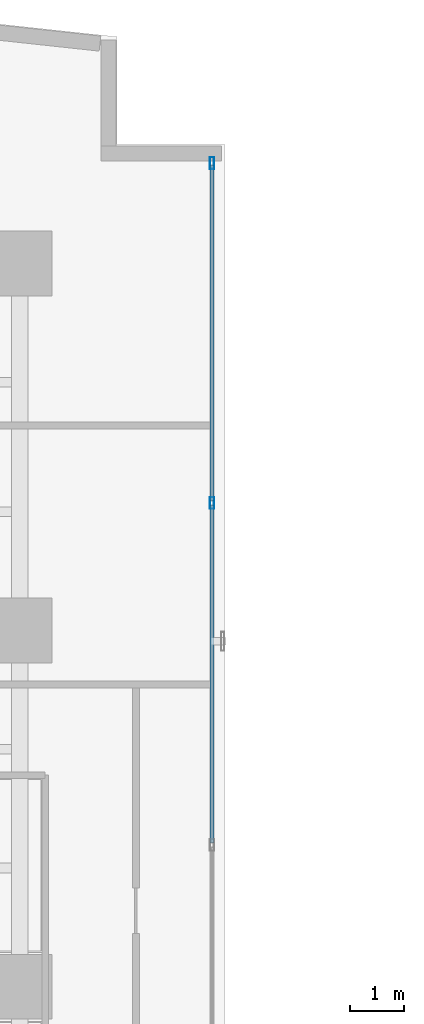
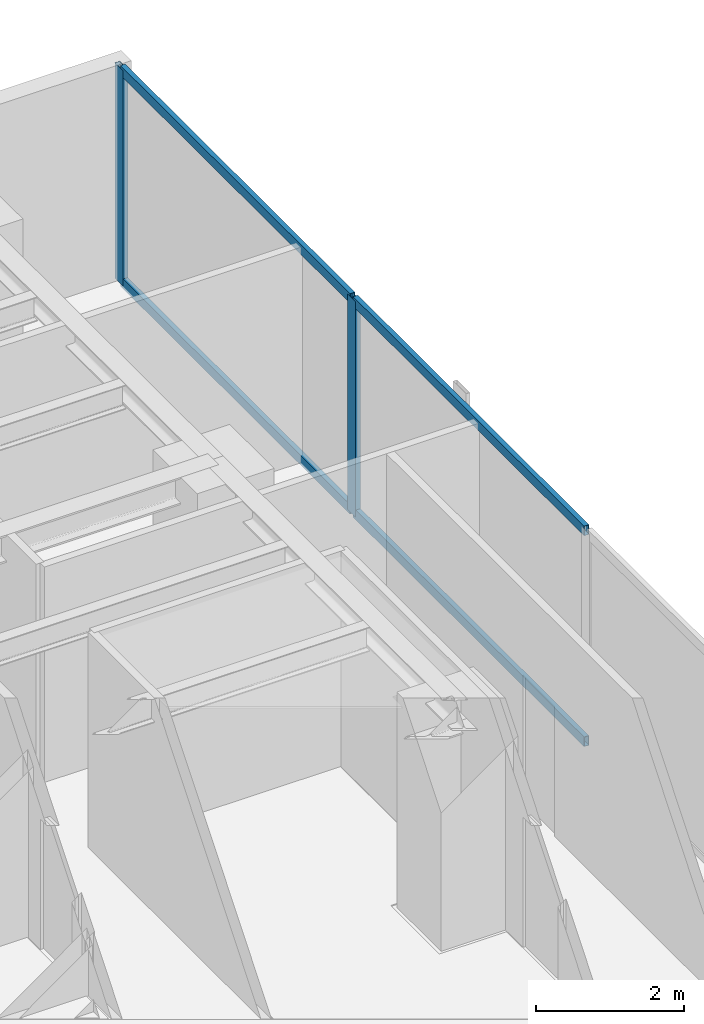
# One storey, part 17 of 24: 6 members, 1 element without a shape of its own.
"""IFC4 building model written with IfcOpenShell, lengths in metres."""

import ifcopenshell
import ifcopenshell.guid

model = None  # the IFC model being written
_history = None  # IfcOwnerHistory: only IFC2X3 demands one
_inside = {}  # id of a spatial element -> (the spatial element, [elements in it])
_under = {}  # id of a project, library or spatial element -> (it, [spatial elements below it])
_declared = {}  # id of a project -> (the project, [libraries it declares])
_typed = {}  # id of a type object -> (the type object, [elements of that type])
_made_of = {}  # id of a material, layer set ... -> (it, [elements and type objects made of it])


def new_model(schema):
    """Start an empty IFC model of exactly this schema.

    Asked for "IFC4X3", IfcOpenShell would pick the latest addendum, in which some entities
    have other attributes; the version numbers below select the first issue.
    IFC2X3 requires an IfcOwnerHistory on every rooted entity: one is made here for all.
    """
    global model, _history
    if schema == "IFC4X3":
        model = ifcopenshell.file(schema_version=(4, 3, 0, 0))
    else:
        model = ifcopenshell.file(schema=schema)
    _inside.clear()
    _under.clear()
    _declared.clear()
    _typed.clear()
    _made_of.clear()
    _history = None
    if model.schema == "IFC2X3":
        org = make("IfcOrganization", Name="unknown")
        user = make(
            "IfcPersonAndOrganization",
            ThePerson=make("IfcPerson", FamilyName="unknown"),
            TheOrganization=org,
        )
        app = make(
            "IfcApplication",
            ApplicationDeveloper=org,
            Version="unknown",
            ApplicationFullName="unknown",
            ApplicationIdentifier="unknown",
        )
        _history = make(
            "IfcOwnerHistory",
            OwningUser=user,
            OwningApplication=app,
            ChangeAction="ADDED",
            CreationDate=0,
        )
    return model


def make(cls, **values):
    """One entity of the class cls with the attributes given. An attribute that is None is left unset."""
    return model.create_entity(
        cls, **{name: value for name, value in values.items() if value is not None}
    )


def rooted(cls, **values):
    """An entity with a GlobalId (a new one), such as an element, a storey or a relation."""
    return make(cls, GlobalId=ifcopenshell.guid.new(), OwnerHistory=_history, **values)


def si_unit(unit_type, name, prefix=None):
    """IfcSIUnit, for example si_unit("LENGTHUNIT", "METRE", prefix="MILLI")."""
    return make("IfcSIUnit", UnitType=unit_type, Prefix=prefix, Name=name)


def assignment(units):
    """IfcUnitAssignment: the units of a project."""
    return None if units is None else make("IfcUnitAssignment", Units=units)


def point(xyz):
    """IfcCartesianPoint."""
    return None if xyz is None else make("IfcCartesianPoint", Coordinates=xyz)


def direction(xyz):
    """IfcDirection."""
    return None if xyz is None else make("IfcDirection", DirectionRatios=xyz)


def frame(location, z_axis=None, x_axis=None):
    """IfcAxis2Placement3D, a coordinate frame: its origin and axes. An axis left out is left unset."""
    return make(
        "IfcAxis2Placement3D",
        Location=point(location),
        Axis=direction(z_axis),
        RefDirection=direction(x_axis),
    )


def frame_2d(location, x_axis=None):
    """IfcAxis2Placement2D, a coordinate frame in the plane: its origin and x axis."""
    return make(
        "IfcAxis2Placement2D", Location=point(location), RefDirection=direction(x_axis)
    )


def origin():
    """The frame at (0, 0, 0) with its axes left unset."""
    return frame((0.0, 0.0, 0.0))


def origin_with_axes():
    """The frame at (0, 0, 0) with the z axis (0, 0, 1) and the x axis (1, 0, 0) written out."""
    return frame((0.0, 0.0, 0.0), z_axis=(0.0, 0.0, 1.0), x_axis=(1.0, 0.0, 0.0))


def origin_2d():
    """The frame at (0, 0) in the plane with its x axis left unset."""
    return frame_2d((0.0, 0.0))


def place(relative_to, where):
    """IfcLocalPlacement: puts the frame where relative to a parent placement (None: the world)."""
    return make(
        "IfcLocalPlacement", PlacementRelTo=relative_to, RelativePlacement=where
    )


def context(
    kind, dimensions, precision=None, world=None, true_north=None, identifier=None
):
    """IfcGeometricRepresentationContext, for example the 3D "Model" context."""
    return make(
        "IfcGeometricRepresentationContext",
        ContextIdentifier=identifier,
        ContextType=kind,
        CoordinateSpaceDimension=dimensions,
        Precision=precision,
        WorldCoordinateSystem=world,
        TrueNorth=true_north,
    )


def subcontext(parent, identifier, kind, view, scale=None):
    """IfcGeometricRepresentationSubContext, for example "Body" below "Model"."""
    return make(
        "IfcGeometricRepresentationSubContext",
        ContextIdentifier=identifier,
        ContextType=kind,
        ParentContext=parent,
        TargetScale=scale,
        TargetView=view,
    )


def project(units=None, contexts=None):
    """IfcProject with its units and contexts."""
    return rooted(
        "IfcProject",
        Name="project",
        RepresentationContexts=contexts,
        UnitsInContext=assignment(units),
    )


def spatial(cls, under=None, at=None, **own):
    """A site, building, storey or space (cls), placed at a placement, below another one or the project."""
    s = rooted(cls, ObjectPlacement=at, **own)
    if under is not None:
        _under.setdefault(under.id(), (under, []))[1].append(s)
    return s


def profile(cls, at=None, kind="AREA", **sizes):
    """A parametric profile (cls). Its sizes go by their IFC names, for example OverallWidth=200.0."""
    return make(cls, ProfileType=kind, Position=at, **sizes)


def hollow_rectangle(**sizes):
    """IfcRectangleHollowProfileDef."""
    return profile("IfcRectangleHollowProfileDef", **sizes)


def extrude(swept, where, along, depth):
    """IfcExtrudedAreaSolid: the profile swept, set in the frame where, extruded along a direction by depth."""
    return make(
        "IfcExtrudedAreaSolid",
        SweptArea=swept,
        Position=where,
        ExtrudedDirection=direction(along),
        Depth=depth,
    )


def shape(context_of_items, identifier, shape_type, items):
    """IfcShapeRepresentation: the items that make up one representation, for example the "Body"."""
    return make(
        "IfcShapeRepresentation",
        ContextOfItems=context_of_items,
        RepresentationIdentifier=identifier,
        RepresentationType=shape_type,
        Items=items,
    )


def source(mapping_origin, context_of_items, identifier, shape_type, items):
    """IfcRepresentationMap: a shape defined once, which mapped items show again and again."""
    return make(
        "IfcRepresentationMap",
        MappingOrigin=mapping_origin,
        MappedRepresentation=shape(context_of_items, identifier, shape_type, items),
    )


def transform(
    local_origin,
    x_axis=None,
    y_axis=None,
    z_axis=None,
    scale=None,
    scale2=None,
    scale3=None,
    uniform=True,
):
    """IfcCartesianTransformationOperator3D, or its non-uniform kind. x_axis, y_axis, z_axis: its Axis1, 2, 3."""
    if uniform:
        return make(
            "IfcCartesianTransformationOperator3D",
            Axis1=direction(x_axis),
            Axis2=direction(y_axis),
            LocalOrigin=point(local_origin),
            Scale=scale,
            Axis3=direction(z_axis),
        )
    return make(
        "IfcCartesianTransformationOperator3DnonUniform",
        Axis1=direction(x_axis),
        Axis2=direction(y_axis),
        LocalOrigin=point(local_origin),
        Scale=scale,
        Axis3=direction(z_axis),
        Scale2=scale2,
        Scale3=scale3,
    )


def mapped(mapping_source, mapping_target):
    """IfcMappedItem: shows the shape of a source again, moved by a transform."""
    return make(
        "IfcMappedItem", MappingSource=mapping_source, MappingTarget=mapping_target
    )


def material(Name=None, Category=None):
    """IfcMaterial."""
    return make("IfcMaterial", Name=Name, Category=Category)


def layer(
    of_material, thickness, ventilated=None, Name=None, Category=None, Priority=None
):
    """IfcMaterialLayer: one layer of a wall or slab, of a material (None: an air gap)."""
    return make(
        "IfcMaterialLayer",
        Material=of_material,
        LayerThickness=thickness,
        IsVentilated=ventilated,
        Name=Name,
        Category=Category,
        Priority=Priority,
    )


def layer_set(layers, Name=None):
    """IfcMaterialLayerSet."""
    return make("IfcMaterialLayerSet", MaterialLayers=layers, LayerSetName=Name)


def material_profile(
    of_material, cross_section, Name=None, Category=None, Priority=None
):
    """IfcMaterialProfile: a cross section and its material."""
    return make(
        "IfcMaterialProfile",
        Name=Name,
        Material=of_material,
        Profile=cross_section,
        Priority=Priority,
        Category=Category,
    )


def profile_set(profiles, Name=None, composite=None):
    """IfcMaterialProfileSet."""
    return make(
        "IfcMaterialProfileSet",
        Name=Name,
        MaterialProfiles=profiles,
        CompositeProfile=composite,
    )


def made_of(thing, what):
    """Note that an element or type object is made of a material, layer set ...; save() writes the relation."""
    if what is not None:
        _made_of.setdefault(what.id(), (what, []))[1].append(thing)
    return thing


def type_object(cls, material=None, **own):
    """A type object (cls), such as IfcWallType, which elements share."""
    return made_of(rooted(cls, **own), material)


def element(
    cls,
    number,
    at=None,
    inside=None,
    cuts=None,
    type_object=None,
    material=None,
    context=None,
    identifier="Body",
    shape_type=None,
    held_by="IfcProductDefinitionShape",
    body=None,
    shapes=None,
    **own,
):
    """One element of the class cls, such as IfcWall. Its Tag is "e" and its number.

    at: its placement. inside: the storey or other place that contains it. cuts: it is an
    opening in that element (IfcRelVoidsElement). A single representation is given by context,
    identifier, shape_type and body (its items); several are given by shapes. held_by: the class
    of the entity that holds the representations. save() writes the other relations.
    """
    e = rooted(cls, Tag="e%d" % number, ObjectPlacement=at, **own)
    if body is not None:
        shapes = [shape(context, identifier, shape_type, body)]
    if shapes is not None:
        e.Representation = make(held_by, Representations=shapes)
    if inside is not None:
        _inside.setdefault(inside.id(), (inside, []))[1].append(e)
    if cuts is not None:
        rooted(
            "IfcRelVoidsElement", RelatingBuildingElement=cuts, RelatedOpeningElement=e
        )
    if type_object is not None:
        _typed.setdefault(type_object.id(), (type_object, []))[1].append(e)
    return made_of(e, material)


def aggregate(whole, parts):
    """IfcRelAggregates: a whole, such as a stair, and the parts it consists of."""
    return rooted("IfcRelAggregates", RelatingObject=whole, RelatedObjects=parts)


def save(model, path):
    """Write the relations noted so far, then the file.

    IfcRelAggregates (storeys below a building ...), IfcRelContainedInSpatialStructure (elements
    in a storey), IfcRelDefinesByType, IfcRelAssociatesMaterial and IfcRelDeclares: one each for
    every whole, place, type object, material and project.
    """
    for whole, parts in _under.values():
        aggregate(whole, parts)
    for where, things in _inside.values():
        rooted(
            "IfcRelContainedInSpatialStructure",
            RelatedElements=things,
            RelatingStructure=where,
        )
    for kind, things in _typed.values():
        rooted("IfcRelDefinesByType", RelatedObjects=things, RelatingType=kind)
    for what, things in _made_of.values():
        rooted("IfcRelAssociatesMaterial", RelatedObjects=things, RelatingMaterial=what)
    for by, libraries in _declared.values():
        rooted("IfcRelDeclares", RelatingContext=by, RelatedDefinitions=libraries)
    model.write(path)


model = new_model("IFC4")

# Units and contexts
model_context = context("Model", 3, precision=1e-05, world=origin(), true_north=direction((0.0, 1.0)))
body_context = subcontext(model_context, "Body", "Model", "MODEL_VIEW")
ifc_project = project(units=[si_unit("LENGTHUNIT", "METRE"), si_unit("AREAUNIT", "SQUARE_METRE"), si_unit("VOLUMEUNIT", "CUBIC_METRE"), si_unit("PLANEANGLEUNIT", "RADIAN"), si_unit("MASSUNIT", "GRAM", prefix="KILO")], contexts=[model_context])

# Site, building, storey
site_placement = place(None, origin())
site = spatial("IfcSite", under=ifc_project, at=site_placement, CompositionType="ELEMENT")
building_placement = place(site_placement, origin())
building = spatial("IfcBuilding", under=site, at=building_placement, Name="Kolvaren Waterfront Exchange", CompositionType="ELEMENT")
storey_placement = place(building_placement, frame((0.0, 0.0, 157.60009765625)))
storey = spatial("IfcBuildingStorey", under=building, at=storey_placement, Name="L40", CompositionType="ELEMENT", Elevation=157.60009765625)

# Curtain wall, members
ifc_material_1 = material(Name="Anodised bronze aluminium 6063-T6", Category="aluminium")
ifc_layer = layer(ifc_material_1, 0.219970703125, Name="Anodised bronze aluminium 6063-T6")
ifc_layer_set = layer_set([ifc_layer], Name="Anodised bronze aluminium 6063-T6")
curtain_wall_type = type_object("IfcCurtainWallType", Name="ARC-CW-SYS1", PredefinedType="USERDEFINED", material=ifc_layer_set)
curtain_wall_placement = place(storey_placement, origin())
curtain_wall = element("IfcCurtainWall", 1, at=curtain_wall_placement, inside=storey, type_object=curtain_wall_type, Name="L40 stick curtain wall CW1 (CW-L40-NE)", ObjectType="STICK CURTAIN WALL", PredefinedType="USERDEFINED")
ifc_material_2 = material(Name="Anodised aluminium 6063-T6", Category="aluminium")
ifc_material_profile_1 = material_profile(ifc_material_2, hollow_rectangle(XDim=0.074951171875, YDim=0.159912109375, WallThickness=0.00439453125, at=origin_2d()), Name="ALU-TRN-160x75x4.5")
ifc_profile_set_1 = profile_set([ifc_material_profile_1], Name="Anodised aluminium 6063-T6")
member_type_1 = type_object("IfcMemberType", Name="ARC-CWT-160", PredefinedType="USERDEFINED", material=ifc_profile_set_1)
shared_shape_1 = source(origin_with_axes(), body_context, "Body", "SweptSolid", [
    extrude(hollow_rectangle(XDim=0.074951171875, YDim=0.159912109375, WallThickness=0.00439453125, at=origin_2d()), origin(), (0.0, 0.0, 1.0), 6.216552734375),
])
member_1_placement = place(storey_placement, frame((22.360107421875, 40.203369140625, 0.037353515625), z_axis=(0.0, 1.0, 0.0), x_axis=(-1.0, 0.0, 0.0)))
member_1 = element("IfcMember", 2, at=member_1_placement, type_object=member_type_1, Name="CW1 transom 3.1", ObjectType="TRANSOM", PredefinedType="USERDEFINED", context=body_context, shape_type="MappedRepresentation", body=[
    mapped(shared_shape_1, transform((0.0, 0.0, 0.0), x_axis=(1.0, 0.0, 0.0), y_axis=(0.0, 1.0, 0.0), z_axis=(0.0, 0.0, 1.0), scale=1.0)),
])
member_2_placement = place(storey_placement, frame((22.360107421875, 40.203369140625, 3.5224609375), z_axis=(0.0, 1.0, 0.0), x_axis=(-1.0, 0.0, 0.0)))
member_2 = element("IfcMember", 3, at=member_2_placement, type_object=member_type_1, Name="CW1 transom 3.2", ObjectType="TRANSOM", PredefinedType="USERDEFINED", context=body_context, shape_type="MappedRepresentation", body=[
    mapped(shared_shape_1, transform((0.0, 0.0, 0.0), x_axis=(1.0, 0.0, 0.0), y_axis=(0.0, 1.0, 0.0), z_axis=(0.0, 0.0, 1.0), scale=1.0)),
])
shared_shape_2 = source(origin_with_axes(), body_context, "Body", "SweptSolid", [
    extrude(hollow_rectangle(XDim=0.074951171875, YDim=0.159912109375, WallThickness=0.00439453125, at=origin_2d()), origin(), (0.0, 0.0, 1.0), 6.256591796875),
])
member_3_placement = place(storey_placement, frame((22.360107421875, 33.86669921875, 0.037353515625), z_axis=(0.0, 1.0, 0.0), x_axis=(-1.0, 0.0, 0.0)))
member_3 = element("IfcMember", 4, at=member_3_placement, type_object=member_type_1, Name="CW1 transom 2.1", ObjectType="TRANSOM", PredefinedType="USERDEFINED", context=body_context, shape_type="MappedRepresentation", body=[
    mapped(shared_shape_2, transform((0.0, 0.0, 0.0), x_axis=(1.0, 0.0, 0.0), y_axis=(0.0, 1.0, 0.0), z_axis=(0.0, 0.0, 1.0), scale=1.0)),
])
member_4_placement = place(storey_placement, frame((22.360107421875, 33.86669921875, 3.5224609375), z_axis=(0.0, 1.0, 0.0), x_axis=(-1.0, 0.0, 0.0)))
member_4 = element("IfcMember", 5, at=member_4_placement, type_object=member_type_1, Name="CW1 transom 2.2", ObjectType="TRANSOM", PredefinedType="USERDEFINED", context=body_context, shape_type="MappedRepresentation", body=[
    mapped(shared_shape_2, transform((0.0, 0.0, 0.0), x_axis=(1.0, 0.0, 0.0), y_axis=(0.0, 1.0, 0.0), z_axis=(0.0, 0.0, 1.0), scale=1.0)),
])
ifc_material_profile_2 = material_profile(ifc_material_2, hollow_rectangle(XDim=0.080078125, YDim=0.219970703125, WallThickness=0.0048828125, at=origin_2d()), Name="ALU-MUL-220x80x5")
ifc_profile_set_2 = profile_set([ifc_material_profile_2], Name="Anodised aluminium 6063-T6")
member_type_2 = type_object("IfcMemberType", Name="ARC-CWM-220", PredefinedType="MULLION", material=ifc_profile_set_2)
shared_shape_3 = source(origin_with_axes(), body_context, "Body", "SweptSolid", [
    extrude(hollow_rectangle(XDim=0.080078125, YDim=0.219970703125, WallThickness=0.0048828125, at=origin_2d()), origin(), (0.0, 0.0, 1.0), 3.559814453125),
])
member_5_placement = place(storey_placement, frame((22.360107421875, 40.163330078125, 0.0), z_axis=(0.0, 0.0, 1.0), x_axis=(-1.0, 0.0, 0.0)))
member_5 = element("IfcMember", 6, at=member_5_placement, type_object=member_type_2, Name="CW1 mullion 3", PredefinedType="MULLION", context=body_context, shape_type="MappedRepresentation", body=[
    mapped(shared_shape_3, transform((0.0, 0.0, 0.0), x_axis=(1.0, 0.0, 0.0), y_axis=(0.0, 1.0, 0.0), z_axis=(0.0, 0.0, 1.0), scale=1.0)),
])
member_6_placement = place(storey_placement, frame((22.360107421875, 46.4599609375, 0.0), z_axis=(0.0, 0.0, 1.0), x_axis=(-1.0, 0.0, 0.0)))
member_6 = element("IfcMember", 7, at=member_6_placement, type_object=member_type_2, Name="CW1 mullion 4", PredefinedType="MULLION", context=body_context, shape_type="MappedRepresentation", body=[
    mapped(shared_shape_3, transform((0.0, 0.0, 0.0), x_axis=(1.0, 0.0, 0.0), y_axis=(0.0, 1.0, 0.0), z_axis=(0.0, 0.0, 1.0), scale=1.0)),
])
aggregate(curtain_wall, [member_5, member_6, member_3, member_4, member_1, member_2])

save(model, "model.ifc")
